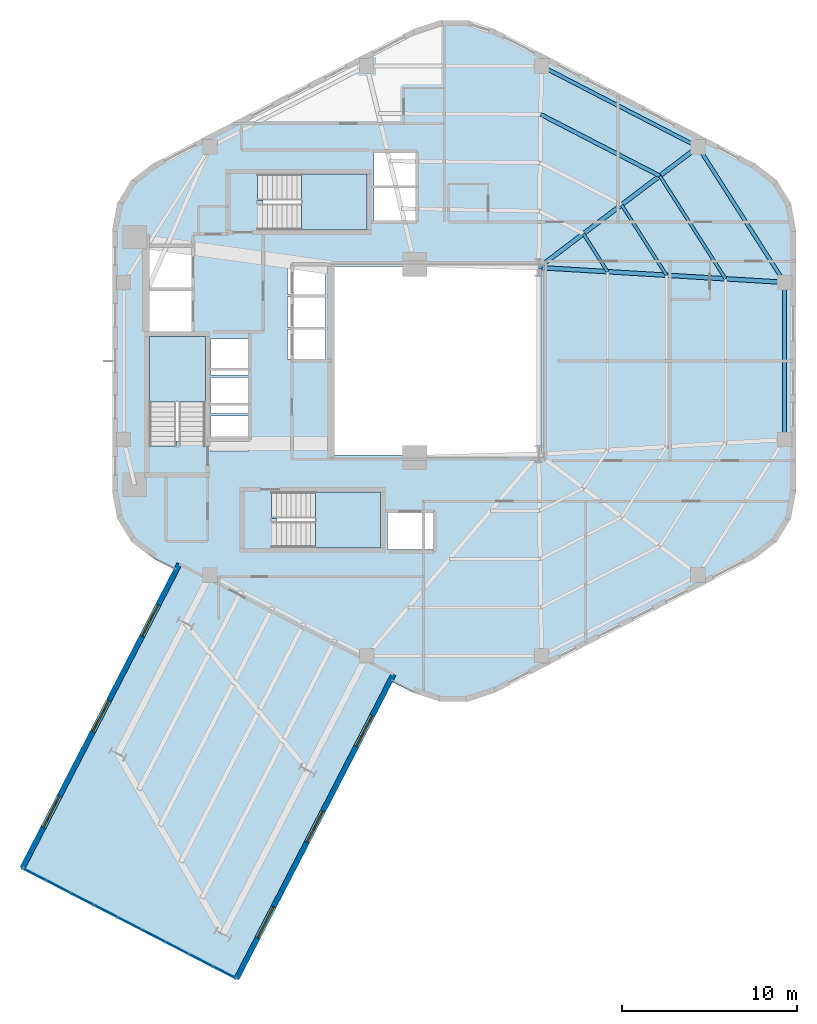
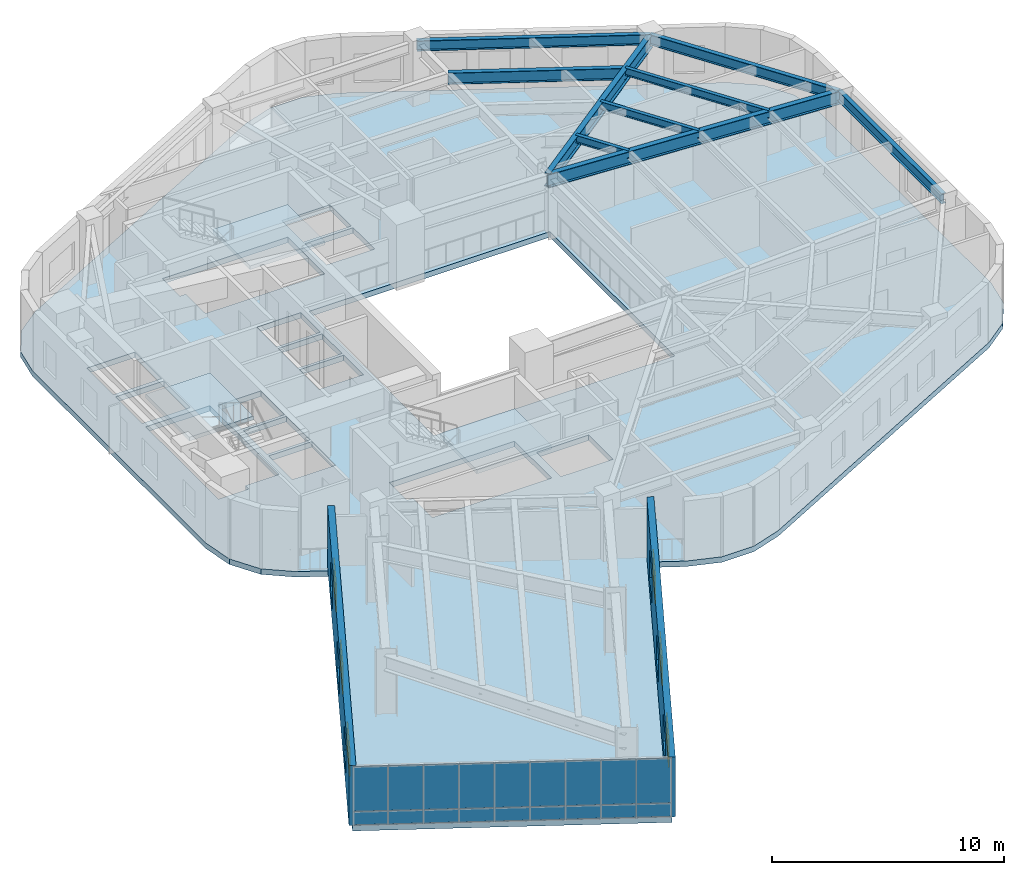
# One storey, part 4 of 9: 18 plates, 9 beams, 6 windows, 4 slabs, 2 walls, 6 openings, 4 elements without a shape of their own.
"""IFC4 building model written with IfcOpenShell, lengths in metres."""

from ifc_helpers import new_model, si_unit, direction, frame, frame_2d, origin, origin_2d, place, context, subcontext, project, spatial, polyline, rectangle, i_section, outline, extrude, material, layer, layer_set, material_profile, profile_set, type_object, element, fill, aggregate, save


model = new_model("IFC4")

# Units and contexts
model_context = context("Model", 3, precision=1e-05, world=origin(), true_north=direction((0.0, 1.0)))
body_context = subcontext(model_context, "Body", "Model", "MODEL_VIEW")
ifc_project = project(units=[si_unit("LENGTHUNIT", "METRE"), si_unit("AREAUNIT", "SQUARE_METRE"), si_unit("VOLUMEUNIT", "CUBIC_METRE"), si_unit("PLANEANGLEUNIT", "RADIAN"), si_unit("MASSUNIT", "GRAM", prefix="KILO"), si_unit("THERMODYNAMICTEMPERATUREUNIT", "KELVIN"), si_unit("POWERUNIT", "WATT")], contexts=[model_context])

# Site, building, storey
site_placement = place(None, origin())
site = spatial("IfcSite", under=ifc_project, at=site_placement, CompositionType="ELEMENT")
building_placement = place(site_placement, origin())
building = spatial("IfcBuilding", under=site, at=building_placement, Name="Skarre Station Tower", CompositionType="ELEMENT")
storey_placement = place(building_placement, frame((0.0, 0.0, 177.449951171875)))
storey = spatial("IfcBuildingStorey", under=building, at=storey_placement, Name="L48", CompositionType="ELEMENT", Elevation=177.449951171875)

# Beams
ifc_material_1 = material(Name="Steel ASTM A992 Grade 50", Category="steel")
ifc_material_profile_1 = material_profile(ifc_material_1, i_section(OverallWidth=0.256103515625, OverallDepth=0.693115234375, WebThickness=0.013916015625, FlangeThickness=0.02392578125, at=origin_2d()), Name="Steel ASTM A992 Grade 50")
ifc_profile_set_1 = profile_set([ifc_material_profile_1], Name="Steel ASTM A992 Grade 50")
beam_type_1 = type_object("IfcBeamType", Name="Steel Beam W27X114", PredefinedType="BEAM", material=ifc_profile_set_1)
beam_1_placement = place(storey_placement, frame((39.449951171875, 29.35009765625, 2.81396484375), z_axis=(0.797308988117, 0.603571352425, 0.0), x_axis=(-0.603571352425, 0.797308988117, 0.0)))
element("IfcBeam", 1, at=beam_1_placement, inside=storey, type_object=beam_type_1, Name="L48 Radial Floor Girder F0C1", PredefinedType="BEAM", context=body_context, shape_type="SweptSolid", body=[
    extrude(i_section(OverallWidth=0.256103515625, OverallDepth=0.693115234375, WebThickness=0.013916015625, FlangeThickness=0.02392578125, at=origin_2d()), origin(), (0.0, 0.0, 1.0), 11.443603515625),
])
beam_2_placement = place(storey_placement, frame((39.449951171875, 29.35009765625, 2.81396484375), z_axis=(0.998184432941, -0.060231535207, 0.0), x_axis=(0.060231535207, 0.998184432941, 0.0)))
element("IfcBeam", 2, at=beam_2_placement, inside=storey, type_object=beam_type_1, Name="L48 Radial Floor Girder F5C2", PredefinedType="BEAM", context=body_context, shape_type="SweptSolid", body=[
    extrude(i_section(OverallWidth=0.256103515625, OverallDepth=0.693115234375, WebThickness=0.013916015625, FlangeThickness=0.02392578125, at=origin_2d()), origin(), (0.0, 0.0, 1.0), 14.09765625),
])
ifc_material_profile_2 = material_profile(ifc_material_1, i_section(OverallWidth=0.177978515625, OverallDepth=0.403076171875, WebThickness=0.008056640625, FlangeThickness=0.010986328125, at=origin_2d()), Name="Steel ASTM A992 Grade 50")
ifc_profile_set_2 = profile_set([ifc_material_profile_2], Name="Steel ASTM A992 Grade 50")
beam_type_2 = type_object("IfcBeamType", Name="Steel Joist W16X36", PredefinedType="JOIST", material=ifc_profile_set_2)
beam_3_placement = place(storey_placement, frame((43.389892578125, 29.112060546875, 2.958984375), z_axis=(-0.537678636248, 0.843149858639, 0.0), x_axis=(-0.843149858639, -0.537678636248, 0.0)))
element("IfcBeam", 3, at=beam_3_placement, inside=storey, type_object=beam_type_2, Name="L48 Auxiliary Composite Joist 22", PredefinedType="JOIST", context=body_context, shape_type="SweptSolid", body=[
    extrude(i_section(OverallWidth=0.177978515625, OverallDepth=0.403076171875, WebThickness=0.008056640625, FlangeThickness=0.010986328125, at=origin_2d()), origin(), (0.0, 0.0, 1.0), 2.575927734375),
])
beam_4_placement = place(storey_placement, frame((46.76708984375, 28.908935546875, 2.958984375), z_axis=(-0.53785259263, 0.843038901001, 0.0), x_axis=(-0.843038901001, -0.53785259263, 0.0)))
element("IfcBeam", 4, at=beam_4_placement, inside=storey, type_object=beam_type_2, Name="L48 Auxiliary Composite Joist 23", PredefinedType="JOIST", context=body_context, shape_type="SweptSolid", body=[
    extrude(i_section(OverallWidth=0.177978515625, OverallDepth=0.403076171875, WebThickness=0.008056640625, FlangeThickness=0.010986328125, at=origin_2d()), origin(), (0.0, 0.0, 1.0), 4.783935546875),
])
beam_5_placement = place(storey_placement, frame((50.14501953125, 28.705078125, 2.958984375), z_axis=(-0.537916675884, 0.842998012931, 0.0), x_axis=(-0.842998012931, -0.537916675884, 0.0)))
element("IfcBeam", 5, at=beam_5_placement, inside=storey, type_object=beam_type_2, Name="L48 Auxiliary Composite Joist 24", PredefinedType="JOIST", context=body_context, shape_type="SweptSolid", body=[
    extrude(i_section(OverallWidth=0.177978515625, OverallDepth=0.403076171875, WebThickness=0.008056640625, FlangeThickness=0.010986328125, at=origin_2d()), origin(), (0.0, 0.0, 1.0), 6.99169921875),
])
ifc_material_profile_3 = material_profile(ifc_material_1, i_section(OverallWidth=0.22802734375, OverallDepth=0.60791015625, WebThickness=0.010986328125, FlangeThickness=0.01708984375, at=origin_2d()), Name="Steel ASTM A992 Grade 50")
ifc_profile_set_3 = profile_set([ifc_material_profile_3], Name="Steel ASTM A992 Grade 50")
beam_type_3 = type_object("IfcBeamType", Name="Steel Joist W24X76", PredefinedType="JOIST", material=ifc_profile_set_3)
beam_6_placement = place(storey_placement, frame((46.384033203125, 34.59912109375, 2.85595703125), z_axis=(-0.888580913917, 0.458719913916, 0.0), x_axis=(-0.458719913916, -0.888580913917, 0.0)))
element("IfcBeam", 6, at=beam_6_placement, inside=storey, type_object=beam_type_3, Name="L48 Secondary Floor Joist 3", PredefinedType="JOIST", context=body_context, shape_type="SweptSolid", body=[
    extrude(i_section(OverallWidth=0.22802734375, OverallDepth=0.60791015625, WebThickness=0.010986328125, FlangeThickness=0.01708984375, at=origin_2d()), origin(), (0.0, 0.0, 1.0), 7.673095703125),
])
ifc_material_profile_4 = material_profile(ifc_material_1, i_section(OverallWidth=0.214111328125, OverallDepth=0.549072265625, WebThickness=0.014892578125, FlangeThickness=0.02392578125, at=origin_2d()), Name="Steel ASTM A992 Grade 50")
ifc_profile_set_4 = profile_set([ifc_material_profile_4], Name="Steel ASTM A992 Grade 50")
beam_type_4 = type_object("IfcBeamType", Name="Steel Spandrel W21X93", PredefinedType="SPANDREL", material=ifc_profile_set_4)
beam_7_placement = place(storey_placement, frame((48.573974609375, 36.257080078125, 2.885986328125), z_axis=(-0.888613027226, 0.458657702262, 0.0), x_axis=(-0.458657702262, -0.888613027226, 0.0)))
element("IfcBeam", 7, at=beam_7_placement, inside=storey, type_object=beam_type_4, Name="L48 Facet Spandrel Beam 1", PredefinedType="SPANDREL", context=body_context, shape_type="SweptSolid", body=[
    extrude(i_section(OverallWidth=0.214111328125, OverallDepth=0.549072265625, WebThickness=0.014892578125, FlangeThickness=0.02392578125, at=origin_2d()), origin(), (0.0, 0.0, 1.0), 10.096435546875),
])
beam_8_placement = place(storey_placement, frame((53.52197265625, 19.4990234375, 2.885986328125), z_axis=(0.0, 1.0, 0.0), x_axis=(-1.0, 0.0, 0.0)))
element("IfcBeam", 8, at=beam_8_placement, inside=storey, type_object=beam_type_4, Name="L48 Facet Spandrel Beam 11", PredefinedType="SPANDREL", context=body_context, shape_type="SweptSolid", body=[
    extrude(i_section(OverallWidth=0.214111328125, OverallDepth=0.549072265625, WebThickness=0.014892578125, FlangeThickness=0.02392578125, at=origin_2d()), origin(), (0.0, 0.0, 1.0), 9.001953125),
])
beam_9_placement = place(storey_placement, frame((53.52197265625, 28.5009765625, 2.885986328125), z_axis=(-0.537826426158, 0.843055594445, 0.0), x_axis=(-0.843055594445, -0.537826426158, 0.0)))
element("IfcBeam", 9, at=beam_9_placement, inside=storey, type_object=beam_type_4, Name="L48 Facet Spandrel Beam 12", PredefinedType="SPANDREL", context=body_context, shape_type="SweptSolid", body=[
    extrude(i_section(OverallWidth=0.214111328125, OverallDepth=0.549072265625, WebThickness=0.014892578125, FlangeThickness=0.02392578125, at=origin_2d()), origin(), (0.0, 0.0, 1.0), 9.199951171875),
])

# Curtain wall, plates
ifc_material_2 = material(Name="Thermally Broken Bronze-Anodized Aluminium & Triple Low-E Glass", Category="aluminium")
ifc_layer_1 = layer(ifc_material_2, 0.2099609375, Name="Thermally Broken Bronze-Anodized Aluminium & Triple Low-E Glass")
ifc_layer_set_1 = layer_set([ifc_layer_1], Name="Thermally Broken Bronze-Anodized Aluminium & Triple Low-E Glass")
curtain_wall_type = type_object("IfcCurtainWallType", Name="Sky-Bar Prow Structural Glazed Curtain Wall", PredefinedType="NOTDEFINED", material=ifc_layer_set_1)
curtain_wall_placement = place(storey_placement, origin())
curtain_wall = element("IfcCurtainWall", 10, at=curtain_wall_placement, inside=storey, type_object=curtain_wall_type, Name="L48 SB-4 Lakefront Prow Curtain Wall", PredefinedType="NOTDEFINED")
ifc_material_3 = material(Name="Insulated Bronze Anodized Aluminium Spandrel", Category="aluminium")
ifc_layer_2 = layer(ifc_material_3, 0.052001953125, Name="Insulated Bronze Anodized Aluminium Spandrel")
ifc_layer_set_2 = layer_set([ifc_layer_2], Name="Insulated Bronze Anodized Aluminium Spandrel")
plate_type_1 = type_object("IfcPlateType", Name="Bronze Insulated Spandrel Sheet Panel 52", PredefinedType="SHEET", material=ifc_layer_set_2)
plate_1_placement = place(storey_placement, frame((21.458984375, -11.02392578125, 0.052001953125), z_axis=(0.0, 0.0, 1.0), x_axis=(-0.888625237464, 0.458634045118, 0.0)))
plate_1 = element("IfcPlate", 11, at=plate_1_placement, type_object=plate_type_1, Name="L48 SB-4 Lakefront Prow Curtain Wall Spandrel Panel 1-1", PredefinedType="SHEET", context=body_context, shape_type="SweptSolid", body=[
    extrude(rectangle(XDim=1.509033203125, YDim=0.052001953125, at=origin_2d()), origin(), (0.0, 0.0, 1.0), 0.68603515625),
])
plate_2_placement = place(storey_placement, frame((20.095947265625, -10.321044921875, 0.052001953125), z_axis=(0.0, 0.0, 1.0), x_axis=(-0.888625237464, 0.458634045118, 0.0)))
plate_2 = element("IfcPlate", 12, at=plate_2_placement, type_object=plate_type_1, Name="L48 SB-4 Lakefront Prow Curtain Wall Spandrel Panel 2-1", PredefinedType="SHEET", context=body_context, shape_type="SweptSolid", body=[
    extrude(rectangle(XDim=1.509033203125, YDim=0.052001953125, at=origin_2d()), origin(), (0.0, 0.0, 1.0), 0.68603515625),
])
plate_3_placement = place(storey_placement, frame((18.73388671875, -9.617919921875, 0.052001953125), z_axis=(0.0, 0.0, 1.0), x_axis=(-0.888625237464, 0.458634045118, 0.0)))
plate_3 = element("IfcPlate", 13, at=plate_3_placement, type_object=plate_type_1, Name="L48 SB-4 Lakefront Prow Curtain Wall Spandrel Panel 3-1", PredefinedType="SHEET", context=body_context, shape_type="SweptSolid", body=[
    extrude(rectangle(XDim=1.509033203125, YDim=0.052001953125, at=origin_2d()), origin(), (0.0, 0.0, 1.0), 0.68603515625),
])
plate_4_placement = place(storey_placement, frame((17.37109375, -8.9150390625, 0.052001953125), z_axis=(0.0, 0.0, 1.0), x_axis=(-0.888625237464, 0.458634045118, 0.0)))
plate_4 = element("IfcPlate", 14, at=plate_4_placement, type_object=plate_type_1, Name="L48 SB-4 Lakefront Prow Curtain Wall Spandrel Panel 4-1", PredefinedType="SHEET", context=body_context, shape_type="SweptSolid", body=[
    extrude(rectangle(XDim=1.509033203125, YDim=0.052001953125, at=origin_2d()), origin(), (0.0, 0.0, 1.0), 0.68603515625),
])
plate_5_placement = place(storey_placement, frame((16.009033203125, -8.2119140625, 0.052001953125), z_axis=(0.0, 0.0, 1.0), x_axis=(-0.888625237464, 0.458634045118, 0.0)))
plate_5 = element("IfcPlate", 15, at=plate_5_placement, type_object=plate_type_1, Name="L48 SB-4 Lakefront Prow Curtain Wall Spandrel Panel 5-1", PredefinedType="SHEET", context=body_context, shape_type="SweptSolid", body=[
    extrude(rectangle(XDim=1.509033203125, YDim=0.052001953125, at=origin_2d()), origin(), (0.0, 0.0, 1.0), 0.68603515625),
])
plate_6_placement = place(storey_placement, frame((14.64599609375, -7.508056640625, 0.052001953125), z_axis=(0.0, 0.0, 1.0), x_axis=(-0.888625237464, 0.458634045118, 0.0)))
plate_6 = element("IfcPlate", 16, at=plate_6_placement, type_object=plate_type_1, Name="L48 SB-4 Lakefront Prow Curtain Wall Spandrel Panel 6-1", PredefinedType="SHEET", context=body_context, shape_type="SweptSolid", body=[
    extrude(rectangle(XDim=1.509033203125, YDim=0.052001953125, at=origin_2d()), origin(), (0.0, 0.0, 1.0), 0.68603515625),
])
plate_7_placement = place(storey_placement, frame((13.282958984375, -6.804931640625, 0.052001953125), z_axis=(0.0, 0.0, 1.0), x_axis=(-0.888625237464, 0.458634045118, 0.0)))
plate_7 = element("IfcPlate", 17, at=plate_7_placement, type_object=plate_type_1, Name="L48 SB-4 Lakefront Prow Curtain Wall Spandrel Panel 7-1", PredefinedType="SHEET", context=body_context, shape_type="SweptSolid", body=[
    extrude(rectangle(XDim=1.509033203125, YDim=0.052001953125, at=origin_2d()), origin(), (0.0, 0.0, 1.0), 0.68603515625),
])
plate_8_placement = place(storey_placement, frame((11.9208984375, -6.10205078125, 0.052001953125), z_axis=(0.0, 0.0, 1.0), x_axis=(-0.888625237464, 0.458634045118, 0.0)))
plate_8 = element("IfcPlate", 18, at=plate_8_placement, type_object=plate_type_1, Name="L48 SB-4 Lakefront Prow Curtain Wall Spandrel Panel 8-1", PredefinedType="SHEET", context=body_context, shape_type="SweptSolid", body=[
    extrude(rectangle(XDim=1.509033203125, YDim=0.052001953125, at=origin_2d()), origin(), (0.0, 0.0, 1.0), 0.68603515625),
])
plate_9_placement = place(storey_placement, frame((10.55810546875, -5.39892578125, 0.052001953125), z_axis=(0.0, 0.0, 1.0), x_axis=(-0.888625237464, 0.458634045118, 0.0)))
plate_9 = element("IfcPlate", 19, at=plate_9_placement, type_object=plate_type_1, Name="L48 SB-4 Lakefront Prow Curtain Wall Spandrel Panel 9-1", PredefinedType="SHEET", context=body_context, shape_type="SweptSolid", body=[
    extrude(rectangle(XDim=1.509033203125, YDim=0.052001953125, at=origin_2d()), origin(), (0.0, 0.0, 1.0), 0.68603515625),
])

# Stair, slab
ifc_material_4 = material(Name="Concrete C40/50", Category="concrete")
stair_type_1 = type_object("IfcStairType", Name="Reinforced Concrete Exit Stair ST-1", PredefinedType="HALF_TURN_STAIR", material=ifc_material_4)
stair_1_placement = place(storey_placement, origin())
stair_1 = element("IfcStair", 20, at=stair_1_placement, inside=storey, type_object=stair_type_1, Name="L48 Core Exit Stair ST-1", PredefinedType="HALF_TURN_STAIR")
ifc_layer_3 = layer(ifc_material_4, 0.219970703125, Name="Concrete C40/50")
ifc_layer_set_3 = layer_set([ifc_layer_3], Name="Concrete C40/50")
slab_type_1 = type_object("IfcSlabType", Name="Reinforced Concrete Stair & Ramp Landing 220", PredefinedType="LANDING", material=ifc_layer_set_3)
slab_1_placement = place(storey_placement, frame((0.0, 0.0, 1.525146484375)))
slab_1 = element("IfcSlab", 21, at=slab_1_placement, type_object=slab_type_1, Name="ST-1 landing 1", PredefinedType="LANDING", context=body_context, shape_type="SweptSolid", body=[
    extrude(outline(polyline([(20.35009765625, 21.639892578125), (20.35009765625, 25.39990234375), (17.14990234375, 25.39990234375), (17.14990234375, 21.639892578125), (20.35009765625, 21.639892578125)])), origin(), (0.0, 0.0, 1.0), 0.199951171875),
])
aggregate(stair_1, [slab_1])

stair_type_2 = type_object("IfcStairType", Name="Reinforced Concrete Exit Stair ST-2", PredefinedType="HALF_TURN_STAIR", material=ifc_material_4)
stair_2_placement = place(storey_placement, origin())
stair_2 = element("IfcStair", 22, at=stair_2_placement, inside=storey, type_object=stair_type_2, Name="L48 Core Exit Stair ST-2", PredefinedType="HALF_TURN_STAIR")
slab_2_placement = place(storey_placement, frame((0.0, 0.0, 1.525146484375)))
slab_2 = element("IfcSlab", 23, at=slab_2_placement, type_object=slab_type_1, Name="ST-2 landing 1", PredefinedType="LANDING", context=body_context, shape_type="SweptSolid", body=[
    extrude(outline(polyline([(26.669921875, 13.300048828125), (30.39990234375, 13.300048828125), (30.39990234375, 16.5), (26.669921875, 16.5), (26.669921875, 13.300048828125)])), origin(), (0.0, 0.0, 1.0), 0.199951171875),
])
aggregate(stair_2, [slab_2])

stair_type_3 = type_object("IfcStairType", Name="Reinforced Concrete Exit Stair ST-3", PredefinedType="HALF_TURN_STAIR", material=ifc_material_4)
stair_3_placement = place(storey_placement, origin())
stair_3 = element("IfcStair", 24, at=stair_3_placement, inside=storey, type_object=stair_type_3, Name="L48 Core Exit Stair ST-3", PredefinedType="HALF_TURN_STAIR")
slab_3_placement = place(storey_placement, frame((0.0, 0.0, 1.525146484375)))
slab_3 = element("IfcSlab", 25, at=slab_3_placement, type_object=slab_type_1, Name="ST-3 landing 1", PredefinedType="LANDING", context=body_context, shape_type="SweptSolid", body=[
    extrude(outline(polyline([(25.8701171875, 31.5), (29.60009765625, 31.5), (29.60009765625, 34.699951171875), (25.8701171875, 34.699951171875), (25.8701171875, 31.5)])), origin(), (0.0, 0.0, 1.0), 0.199951171875),
])
aggregate(stair_3, [slab_3])

# Slab
ifc_material_5 = material(Name="Concrete C50/60", Category="concrete")
ifc_layer_4 = layer(ifc_material_5, 0.2900390625, Name="Concrete C50/60")
ifc_layer_set_4 = layer_set([ifc_layer_4], Name="Concrete C50/60")
slab_type_2 = type_object("IfcSlabType", Name="Sky-Bar Composite Floor Slab 290", PredefinedType="FLOOR", material=ifc_layer_set_4)
slab_4_placement = place(storey_placement, frame((0.0, 0.0, -0.2900390625)))
element("IfcSlab", 26, at=slab_4_placement, inside=storey, type_object=slab_type_2, Name="L48 Tower and SB-4 Floor Slab", PredefinedType="FLOOR", context=body_context, shape_type="SweptSolid", body=[
    extrude(outline(polyline([(30.945068359375, 5.68505859375), (32.291015625, 4.990966796875), (33.803955078125, 4.493896484375), (35.39599609375, 4.493896484375), (36.908935546875, 4.990966796875), (51.863037109375, 12.708984375), (53.0869140625, 13.655029296875), (53.89208984375, 14.97705078125), (54.172119140625, 16.498046875), (54.172119140625, 31.501953125), (53.89208984375, 33.02294921875), (53.0869140625, 34.344970703125), (51.863037109375, 35.291015625), (36.908935546875, 43.009033203125), (35.39599609375, 43.506103515625), (33.803955078125, 43.506103515625), (32.291015625, 43.009033203125), (17.3369140625, 35.291015625), (16.113037109375, 34.344970703125), (15.30810546875, 33.02294921875), (15.028076171875, 31.501953125), (15.028076171875, 16.498046875), (15.30810546875, 14.97705078125), (16.113037109375, 13.655029296875), (17.3369140625, 12.708984375), (18.68310546875, 12.014892578125), (9.876953125, -5.047119140625), (22.139892578125, -11.3759765625), (30.945068359375, 5.68505859375)]), holes=[polyline([(18.669921875, 19.419921875), (18.669921875, 19.123046875), (17.14990234375, 19.123046875), (17.14990234375, 25.39990234375), (20.35009765625, 25.39990234375), (20.35009765625, 19.419921875), (18.669921875, 19.419921875)]), polyline([(24.449951171875, 14.97998046875), (24.153076171875, 14.97998046875), (24.153076171875, 16.5), (30.39990234375, 16.5), (30.39990234375, 13.300048828125), (24.449951171875, 13.300048828125), (24.449951171875, 14.97998046875)]), polyline([(23.64990234375, 33.179931640625), (23.35302734375, 33.179931640625), (23.35302734375, 34.699951171875), (29.60009765625, 34.699951171875), (29.60009765625, 31.5), (23.64990234375, 31.5), (23.64990234375, 33.179931640625)]), polyline([(17.14990234375, 28.0), (19.550048828125, 28.0), (19.550048828125, 25.699951171875), (17.14990234375, 25.699951171875), (17.14990234375, 28.0)]), polyline([(17.14990234375, 30.5), (19.550048828125, 30.5), (19.550048828125, 28.199951171875), (17.14990234375, 28.199951171875), (17.14990234375, 30.5)]), polyline([(30.800048828125, 15.300048828125), (33.39990234375, 15.300048828125), (33.39990234375, 13.199951171875), (30.800048828125, 13.199951171875), (30.800048828125, 15.300048828125)]), polyline([(25.050048828125, 25.800048828125), (27.25, 25.800048828125), (27.25, 24.10009765625), (25.050048828125, 24.10009765625), (25.050048828125, 25.800048828125)]), polyline([(25.050048828125, 27.64990234375), (27.25, 27.64990234375), (27.25, 25.949951171875), (25.050048828125, 25.949951171875), (25.050048828125, 27.64990234375)]), polyline([(25.050048828125, 29.5), (27.25, 29.5), (27.25, 27.800048828125), (25.050048828125, 27.800048828125), (25.050048828125, 29.5)]), polyline([(20.64990234375, 20.85009765625), (22.800048828125, 20.85009765625), (22.800048828125, 18.800048828125), (20.64990234375, 18.800048828125), (20.64990234375, 20.85009765625)]), polyline([(20.64990234375, 23.050048828125), (22.800048828125, 23.050048828125), (22.800048828125, 21.0), (20.64990234375, 21.0), (20.64990234375, 23.050048828125)]), polyline([(20.64990234375, 25.25), (22.800048828125, 25.25), (22.800048828125, 23.199951171875), (20.64990234375, 23.199951171875), (20.64990234375, 25.25)]), polyline([(30.0, 33.89990234375), (32.39990234375, 33.89990234375), (32.39990234375, 32.050048828125), (30.0, 32.050048828125), (30.0, 33.89990234375)]), polyline([(30.0, 35.89990234375), (32.39990234375, 35.89990234375), (32.39990234375, 34.050048828125), (30.0, 34.050048828125), (30.0, 35.89990234375)]), polyline([(27.60009765625, 29.39990234375), (39.60009765625, 29.39990234375), (39.60009765625, 18.60009765625), (27.60009765625, 18.60009765625), (27.60009765625, 29.39990234375)])]), origin(), (0.0, 0.0, 1.0), 0.2900390625),
])

# Plate
ifc_material_6 = material(Name="Low-Iron Triple Insulating Glass Unit", Category="glass")
ifc_layer_5 = layer(ifc_material_6, 0.0439453125, Name="Low-Iron Triple Insulating Glass Unit")
ifc_layer_set_5 = layer_set([ifc_layer_5], Name="Low-Iron Triple Insulating Glass Unit")
plate_type_2 = type_object("IfcPlateType", Name="Triple-Glazed Vision Curtain Panel 44", PredefinedType="CURTAIN_PANEL", material=ifc_layer_set_5)
plate_10_placement = place(storey_placement, frame((21.458984375, -11.02392578125, 0.76220703125), z_axis=(0.0, 0.0, 1.0), x_axis=(-0.888625237464, 0.458634045118, 0.0)))
plate_10 = element("IfcPlate", 27, at=plate_10_placement, type_object=plate_type_2, Name="L48 SB-4 Lakefront Prow Curtain Wall Vision Panel 1-2", PredefinedType="CURTAIN_PANEL", context=body_context, shape_type="SweptSolid", body=[
    extrude(rectangle(XDim=1.509033203125, YDim=0.0439453125, at=origin_2d()), origin(), (0.0, 0.0, 1.0), 2.345947265625),
])

plate_11_placement = place(storey_placement, frame((20.095947265625, -10.321044921875, 0.76220703125), z_axis=(0.0, 0.0, 1.0), x_axis=(-0.888625237464, 0.458634045118, 0.0)))
plate_11 = element("IfcPlate", 28, at=plate_11_placement, type_object=plate_type_2, Name="L48 SB-4 Lakefront Prow Curtain Wall Vision Panel 2-2", PredefinedType="CURTAIN_PANEL", context=body_context, shape_type="SweptSolid", body=[
    extrude(rectangle(XDim=1.509033203125, YDim=0.0439453125, at=origin_2d()), origin(), (0.0, 0.0, 1.0), 2.345947265625),
])

plate_12_placement = place(storey_placement, frame((18.73388671875, -9.617919921875, 0.76220703125), z_axis=(0.0, 0.0, 1.0), x_axis=(-0.888625237464, 0.458634045118, 0.0)))
plate_12 = element("IfcPlate", 29, at=plate_12_placement, type_object=plate_type_2, Name="L48 SB-4 Lakefront Prow Curtain Wall Vision Panel 3-2", PredefinedType="CURTAIN_PANEL", context=body_context, shape_type="SweptSolid", body=[
    extrude(rectangle(XDim=1.509033203125, YDim=0.0439453125, at=origin_2d()), origin(), (0.0, 0.0, 1.0), 2.345947265625),
])

plate_13_placement = place(storey_placement, frame((17.37109375, -8.9150390625, 0.76220703125), z_axis=(0.0, 0.0, 1.0), x_axis=(-0.888625237464, 0.458634045118, 0.0)))
plate_13 = element("IfcPlate", 30, at=plate_13_placement, type_object=plate_type_2, Name="L48 SB-4 Lakefront Prow Curtain Wall Vision Panel 4-2", PredefinedType="CURTAIN_PANEL", context=body_context, shape_type="SweptSolid", body=[
    extrude(rectangle(XDim=1.509033203125, YDim=0.0439453125, at=origin_2d()), origin(), (0.0, 0.0, 1.0), 2.345947265625),
])

plate_14_placement = place(storey_placement, frame((16.009033203125, -8.2119140625, 0.76220703125), z_axis=(0.0, 0.0, 1.0), x_axis=(-0.888625237464, 0.458634045118, 0.0)))
plate_14 = element("IfcPlate", 31, at=plate_14_placement, type_object=plate_type_2, Name="L48 SB-4 Lakefront Prow Curtain Wall Vision Panel 5-2", PredefinedType="CURTAIN_PANEL", context=body_context, shape_type="SweptSolid", body=[
    extrude(rectangle(XDim=1.509033203125, YDim=0.0439453125, at=origin_2d()), origin(), (0.0, 0.0, 1.0), 2.345947265625),
])

plate_15_placement = place(storey_placement, frame((14.64599609375, -7.508056640625, 0.76220703125), z_axis=(0.0, 0.0, 1.0), x_axis=(-0.888625237464, 0.458634045118, 0.0)))
plate_15 = element("IfcPlate", 32, at=plate_15_placement, type_object=plate_type_2, Name="L48 SB-4 Lakefront Prow Curtain Wall Vision Panel 6-2", PredefinedType="CURTAIN_PANEL", context=body_context, shape_type="SweptSolid", body=[
    extrude(rectangle(XDim=1.509033203125, YDim=0.0439453125, at=origin_2d()), origin(), (0.0, 0.0, 1.0), 2.345947265625),
])

plate_16_placement = place(storey_placement, frame((13.282958984375, -6.804931640625, 0.76220703125), z_axis=(0.0, 0.0, 1.0), x_axis=(-0.888625237464, 0.458634045118, 0.0)))
plate_16 = element("IfcPlate", 33, at=plate_16_placement, type_object=plate_type_2, Name="L48 SB-4 Lakefront Prow Curtain Wall Vision Panel 7-2", PredefinedType="CURTAIN_PANEL", context=body_context, shape_type="SweptSolid", body=[
    extrude(rectangle(XDim=1.509033203125, YDim=0.0439453125, at=origin_2d()), origin(), (0.0, 0.0, 1.0), 2.345947265625),
])

plate_17_placement = place(storey_placement, frame((11.9208984375, -6.10205078125, 0.76220703125), z_axis=(0.0, 0.0, 1.0), x_axis=(-0.888625237464, 0.458634045118, 0.0)))
plate_17 = element("IfcPlate", 34, at=plate_17_placement, type_object=plate_type_2, Name="L48 SB-4 Lakefront Prow Curtain Wall Vision Panel 8-2", PredefinedType="CURTAIN_PANEL", context=body_context, shape_type="SweptSolid", body=[
    extrude(rectangle(XDim=1.509033203125, YDim=0.0439453125, at=origin_2d()), origin(), (0.0, 0.0, 1.0), 2.345947265625),
])

plate_18_placement = place(storey_placement, frame((10.55810546875, -5.39892578125, 0.76220703125), z_axis=(0.0, 0.0, 1.0), x_axis=(-0.888625237464, 0.458634045118, 0.0)))
plate_18 = element("IfcPlate", 35, at=plate_18_placement, type_object=plate_type_2, Name="L48 SB-4 Lakefront Prow Curtain Wall Vision Panel 9-2", PredefinedType="CURTAIN_PANEL", context=body_context, shape_type="SweptSolid", body=[
    extrude(rectangle(XDim=1.509033203125, YDim=0.0439453125, at=origin_2d()), origin(), (0.0, 0.0, 1.0), 2.345947265625),
])

aggregate(curtain_wall, [plate_1, plate_10, plate_2, plate_11, plate_3, plate_12, plate_4, plate_13, plate_5, plate_14, plate_6, plate_15, plate_7, plate_16, plate_8, plate_17, plate_9, plate_18])

# Wall, openings, windows
ifc_material_7 = material(Name="Precast concrete C45/55", Category="concrete")
ifc_layer_6 = layer(ifc_material_7, 0.31005859375, Name="Precast concrete C45/55")
ifc_layer_set_6 = layer_set([ifc_layer_6], Name="Precast concrete C45/55")
wall_type = type_object("IfcWallType", Name="Nordic Upper-Zone Precast Facet Wall 310", PredefinedType="STANDARD", material=ifc_layer_set_6)
wall_1_placement = place(storey_placement, frame((9.876953125, -5.047119140625, 0.0), z_axis=(0.0, 0.0, 1.0), x_axis=(0.458621661341, 0.888631628825, 0.0)))
wall_1 = element("IfcWall", 36, at=wall_1_placement, inside=storey, type_object=wall_type, Name="L48 SB-4 Side 1 Precast Wall", PredefinedType="STANDARD", context=body_context, shape_type="SweptSolid", body=[
    extrude(rectangle(XDim=19.60009765625, YDim=0.31005859375, at=frame_2d((9.800048828125, 0.0))), origin(), (0.0, 0.0, 1.0), 3.16015625),
])
opening_1_placement = place(wall_1_placement, frame((2.633056640625, 0.0, 0.75)))
opening_1 = element("IfcOpeningElement", 37, at=opening_1_placement, cuts=wall_1, Name="Opening WN-Z3A", PredefinedType="OPENING", context=body_context, shape_type="SweptSolid", body=[
    extrude(rectangle(XDim=2.0, YDim=1.5, at=frame_2d((1.0, 0.75))), frame((0.0, 0.1650390625, 0.0), z_axis=(0.0, -1.0, 0.0), x_axis=(1.0, 0.0, 0.0)), (0.0, 0.0, 1.0), 0.330078125),
])
opening_2_placement = place(wall_1_placement, frame((8.800048828125, 0.0, 0.75)))
opening_2 = element("IfcOpeningElement", 38, at=opening_2_placement, cuts=wall_1, Name="Opening WN-Z3A", PredefinedType="OPENING", context=body_context, shape_type="SweptSolid", body=[
    extrude(rectangle(XDim=2.0, YDim=1.5, at=frame_2d((1.0, 0.75))), frame((0.0, 0.1650390625, 0.0), z_axis=(0.0, -1.0, 0.0), x_axis=(1.0, 0.0, 0.0)), (0.0, 0.0, 1.0), 0.330078125),
])
opening_3_placement = place(wall_1_placement, frame((14.967041015625, 0.0, 0.75)))
opening_3 = element("IfcOpeningElement", 39, at=opening_3_placement, cuts=wall_1, Name="Opening WN-Z3A", PredefinedType="OPENING", context=body_context, shape_type="SweptSolid", body=[
    extrude(rectangle(XDim=2.0, YDim=1.5, at=frame_2d((1.0, 0.75))), frame((0.0, 0.1650390625, 0.0), z_axis=(0.0, -1.0, 0.0), x_axis=(1.0, 0.0, 0.0)), (0.0, 0.0, 1.0), 0.330078125),
])
ifc_material_8 = material(Name="Low-Iron Triple Glazing with Bronze Anodized Frame", Category="glass")
window_type = type_object("IfcWindowType", Name="Nordic Hospitality Window 2000x1500", PartitioningType="SINGLE_PANEL", PredefinedType="WINDOW", material=ifc_material_8)
window_1_placement = place(opening_1_placement, origin())
window_1 = element("IfcWindow", 40, at=window_1_placement, inside=storey, type_object=window_type, Name="L48 Facade Window WL-SB-4-L48-S1-1", OverallHeight=1.5, OverallWidth=2.0, PartitioningType="SINGLE_PANEL", PredefinedType="WINDOW", context=body_context, shape_type="SweptSolid", body=[
    extrude(rectangle(XDim=2.0, YDim=1.5, at=frame_2d((1.0, 0.75))), frame((0.0, 0.030029296875, 0.0), z_axis=(0.0, -1.0, 0.0), x_axis=(1.0, 0.0, 0.0)), (0.0, 0.0, 1.0), 0.06005859375),
])
fill(opening_1, window_1)
window_2_placement = place(opening_2_placement, origin())
window_2 = element("IfcWindow", 41, at=window_2_placement, inside=storey, type_object=window_type, Name="L48 Facade Window WL-SB-4-L48-S1-2", OverallHeight=1.5, OverallWidth=2.0, PartitioningType="SINGLE_PANEL", PredefinedType="WINDOW", context=body_context, shape_type="SweptSolid", body=[
    extrude(rectangle(XDim=2.0, YDim=1.5, at=frame_2d((1.0, 0.75))), frame((0.0, 0.030029296875, 0.0), z_axis=(0.0, -1.0, 0.0), x_axis=(1.0, 0.0, 0.0)), (0.0, 0.0, 1.0), 0.06005859375),
])
fill(opening_2, window_2)
window_3_placement = place(opening_3_placement, origin())
window_3 = element("IfcWindow", 42, at=window_3_placement, inside=storey, type_object=window_type, Name="L48 Facade Window WL-SB-4-L48-S1-3", OverallHeight=1.5, OverallWidth=2.0, PartitioningType="SINGLE_PANEL", PredefinedType="WINDOW", context=body_context, shape_type="SweptSolid", body=[
    extrude(rectangle(XDim=2.0, YDim=1.5, at=frame_2d((1.0, 0.75))), frame((0.0, 0.030029296875, 0.0), z_axis=(0.0, -1.0, 0.0), x_axis=(1.0, 0.0, 0.0)), (0.0, 0.0, 1.0), 0.06005859375),
])
fill(opening_3, window_3)

wall_2_placement = place(storey_placement, frame((31.12890625, 6.041015625, 0.0), z_axis=(0.0, 0.0, 1.0), x_axis=(-0.458626737826, -0.88862900884, 0.0)))
wall_2 = element("IfcWall", 43, at=wall_2_placement, inside=storey, type_object=wall_type, Name="L48 SB-4 Side 2 Precast Wall", PredefinedType="STANDARD", context=body_context, shape_type="SweptSolid", body=[
    extrude(rectangle(XDim=19.599853515625, YDim=0.31005859375, at=frame_2d((9.7998046875, 0.0))), origin(), (0.0, 0.0, 1.0), 3.16015625),
])
opening_4_placement = place(wall_2_placement, frame((2.633056640625, 0.0, 0.75)))
opening_4 = element("IfcOpeningElement", 44, at=opening_4_placement, cuts=wall_2, Name="Opening WN-Z3A", PredefinedType="OPENING", context=body_context, shape_type="SweptSolid", body=[
    extrude(rectangle(XDim=2.0, YDim=1.5, at=frame_2d((1.0, 0.75))), frame((0.0, 0.1650390625, 0.0), z_axis=(0.0, -1.0, 0.0), x_axis=(1.0, 0.0, 0.0)), (0.0, 0.0, 1.0), 0.330078125),
])
opening_5_placement = place(wall_2_placement, frame((8.800048828125, 0.0, 0.75)))
opening_5 = element("IfcOpeningElement", 45, at=opening_5_placement, cuts=wall_2, Name="Opening WN-Z3A", PredefinedType="OPENING", context=body_context, shape_type="SweptSolid", body=[
    extrude(rectangle(XDim=2.0, YDim=1.5, at=frame_2d((1.0, 0.75))), frame((0.0, 0.1650390625, 0.0), z_axis=(0.0, -1.0, 0.0), x_axis=(1.0, 0.0, 0.0)), (0.0, 0.0, 1.0), 0.330078125),
])
opening_6_placement = place(wall_2_placement, frame((14.967041015625, 0.0, 0.75)))
opening_6 = element("IfcOpeningElement", 46, at=opening_6_placement, cuts=wall_2, Name="Opening WN-Z3A", PredefinedType="OPENING", context=body_context, shape_type="SweptSolid", body=[
    extrude(rectangle(XDim=2.0, YDim=1.5, at=frame_2d((1.0, 0.75))), frame((0.0, 0.1650390625, 0.0), z_axis=(0.0, -1.0, 0.0), x_axis=(1.0, 0.0, 0.0)), (0.0, 0.0, 1.0), 0.330078125),
])
window_4_placement = place(opening_4_placement, origin())
window_4 = element("IfcWindow", 47, at=window_4_placement, inside=storey, type_object=window_type, Name="L48 Facade Window WL-SB-4-L48-S2-1", OverallHeight=1.5, OverallWidth=2.0, PartitioningType="SINGLE_PANEL", PredefinedType="WINDOW", context=body_context, shape_type="SweptSolid", body=[
    extrude(rectangle(XDim=2.0, YDim=1.5, at=frame_2d((1.0, 0.75))), frame((0.0, 0.030029296875, 0.0), z_axis=(0.0, -1.0, 0.0), x_axis=(1.0, 0.0, 0.0)), (0.0, 0.0, 1.0), 0.06005859375),
])
fill(opening_4, window_4)
window_5_placement = place(opening_5_placement, origin())
window_5 = element("IfcWindow", 48, at=window_5_placement, inside=storey, type_object=window_type, Name="L48 Facade Window WL-SB-4-L48-S2-2", OverallHeight=1.5, OverallWidth=2.0, PartitioningType="SINGLE_PANEL", PredefinedType="WINDOW", context=body_context, shape_type="SweptSolid", body=[
    extrude(rectangle(XDim=2.0, YDim=1.5, at=frame_2d((1.0, 0.75))), frame((0.0, 0.030029296875, 0.0), z_axis=(0.0, -1.0, 0.0), x_axis=(1.0, 0.0, 0.0)), (0.0, 0.0, 1.0), 0.06005859375),
])
fill(opening_5, window_5)
window_6_placement = place(opening_6_placement, origin())
window_6 = element("IfcWindow", 49, at=window_6_placement, inside=storey, type_object=window_type, Name="L48 Facade Window WL-SB-4-L48-S2-3", OverallHeight=1.5, OverallWidth=2.0, PartitioningType="SINGLE_PANEL", PredefinedType="WINDOW", context=body_context, shape_type="SweptSolid", body=[
    extrude(rectangle(XDim=2.0, YDim=1.5, at=frame_2d((1.0, 0.75))), frame((0.0, 0.030029296875, 0.0), z_axis=(0.0, -1.0, 0.0), x_axis=(1.0, 0.0, 0.0)), (0.0, 0.0, 1.0), 0.06005859375),
])
fill(opening_6, window_6)

save(model, "model.ifc")
